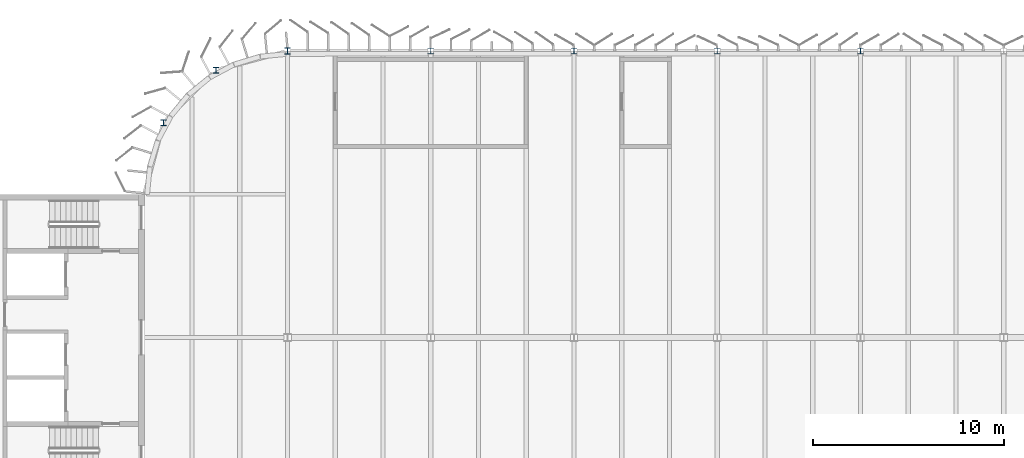
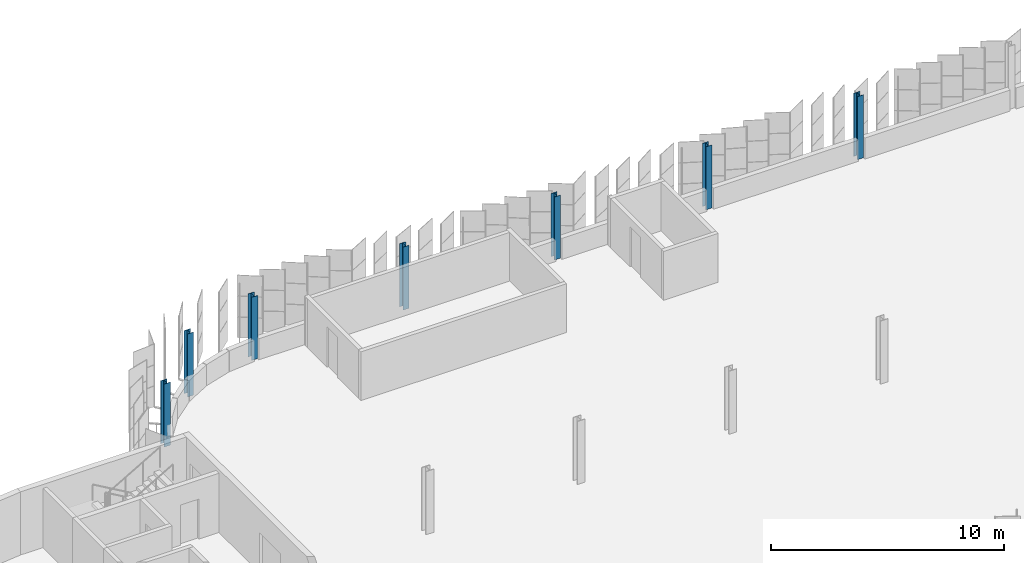
# One storey, part 24 of 199: 7 columns.
"""IFC4 building model written with IfcOpenShell, lengths in metres."""

from ifc_helpers import new_model, si_unit, direction, frame, origin, origin_2d, place, context, subcontext, project, spatial, i_section, extrude, material, material_profile, profile_set, type_object, element, save


model = new_model("IFC4")

# Units and contexts
model_context = context("Model", 3, precision=1e-05, world=origin(), true_north=direction((0.0, 1.0)))
body_context = subcontext(model_context, "Body", "Model", "MODEL_VIEW")
ifc_project = project(units=[si_unit("LENGTHUNIT", "METRE"), si_unit("AREAUNIT", "SQUARE_METRE"), si_unit("VOLUMEUNIT", "CUBIC_METRE"), si_unit("PLANEANGLEUNIT", "RADIAN"), si_unit("MASSUNIT", "GRAM", prefix="KILO")], contexts=[model_context])

# Site, building, storey
site_placement = place(None, origin())
site = spatial("IfcSite", under=ifc_project, at=site_placement, CompositionType="ELEMENT")
building_placement = place(site_placement, origin())
building = spatial("IfcBuilding", under=site, at=building_placement, Name="Parallax Yard Mobility Hub", CompositionType="ELEMENT")
storey_placement = place(building_placement, frame((0.0, 0.0, 9.89990234375)))
storey = spatial("IfcBuildingStorey", under=building, at=storey_placement, Name="L03", CompositionType="ELEMENT", Elevation=9.89990234375)

# Columns
ifc_material = material(Name="Steel ASTM A992", Category="steel")
ifc_material_profile_1 = material_profile(ifc_material, i_section(OverallWidth=0.306884765625, OverallDepth=0.318115234375, WebThickness=0.01318359375, FlangeThickness=0.0205078125, FilletRadius=0.01513671875, at=origin_2d()), Name="W310x129")
ifc_profile_set_1 = profile_set([ifc_material_profile_1], Name="Steel ASTM A992")
column_type_1 = type_object("IfcColumnType", Name="W310x129 column", PredefinedType="COLUMN", material=ifc_profile_set_1)
column_placement = place(storey_placement, frame((30.0, 142.5, 0.0), z_axis=(0.0, 0.0, 1.0), x_axis=(1.0, 0.0, 0.0)))
element("IfcColumn", 1, at=column_placement, inside=storey, type_object=column_type_1, Name="Column C3 level L03 at V/5 of ramped parking decks", PredefinedType="COLUMN", context=body_context, shape_type="SweptSolid", body=[
    extrude(i_section(OverallWidth=0.306884765625, OverallDepth=0.318115234375, WebThickness=0.01318359375, FlangeThickness=0.0205078125, FilletRadius=0.01513671875, at=origin_2d()), origin(), (0.0, 0.0, 1.0), 3.300048828125),
])
ifc_material_profile_2 = material_profile(ifc_material, i_section(OverallWidth=0.304931640625, OverallDepth=0.306884765625, WebThickness=0.010009765625, FlangeThickness=0.015380859375, FilletRadius=0.01513671875, at=origin_2d()), Name="W310x97")
ifc_profile_set_2 = profile_set([ifc_material_profile_2], Name="Steel ASTM A992")
column_type_2 = type_object("IfcColumnType", Name="W310x97 column", PredefinedType="COLUMN", material=ifc_profile_set_2)
for number, where, z_axis, x_axis, name in (
    (2, (37.5, 142.5, 0.0), (0.0, 0.0, 1.0), (1.0, 0.0, 0.0), "Column C1 level L03 at V/6 of ramped parking decks"),
    (3, (45.0, 142.5, 0.0), (0.0, 0.0, 1.0), (1.0, 0.0, 0.0), "Column C1 level L03 at V/7 of ramped parking decks"),
    (4, (52.5, 142.5, 0.0), (0.0, 0.0, 1.0), (1.0, 0.0, 0.0), "Column C1 level L03 at V/8 of ramped parking decks"),
    (5, (60.0, 142.5, 0.0), (0.0, 0.0, 1.0), (1.0, 0.0, 0.0), "Column C1 level L03 at V/9 of ramped parking decks"),
    (6, (26.25, 141.4951171875, 0.0), (0.0, 0.0, 1.0), (1.0, 0.0, 0.0), "Column C1 level L03 at W-N1 of ramped parking decks"),
    (7, (23.5048828125, 138.75, 0.0), (0.0, 0.0, 1.0), (1.0, 0.0, 0.0), "Column C1 level L03 at W-N2 of ramped parking decks"),
):
    element("IfcColumn", number, at=place(storey_placement, frame(where, z_axis=z_axis, x_axis=x_axis)), inside=storey, type_object=column_type_2, Name=name, PredefinedType="COLUMN", context=body_context, shape_type="SweptSolid", body=[
        extrude(i_section(OverallWidth=0.304931640625, OverallDepth=0.306884765625, WebThickness=0.010009765625, FlangeThickness=0.015380859375, FilletRadius=0.01513671875, at=origin_2d()), origin(), (0.0, 0.0, 1.0), 3.300048828125),
    ])

save(model, "model.ifc")
